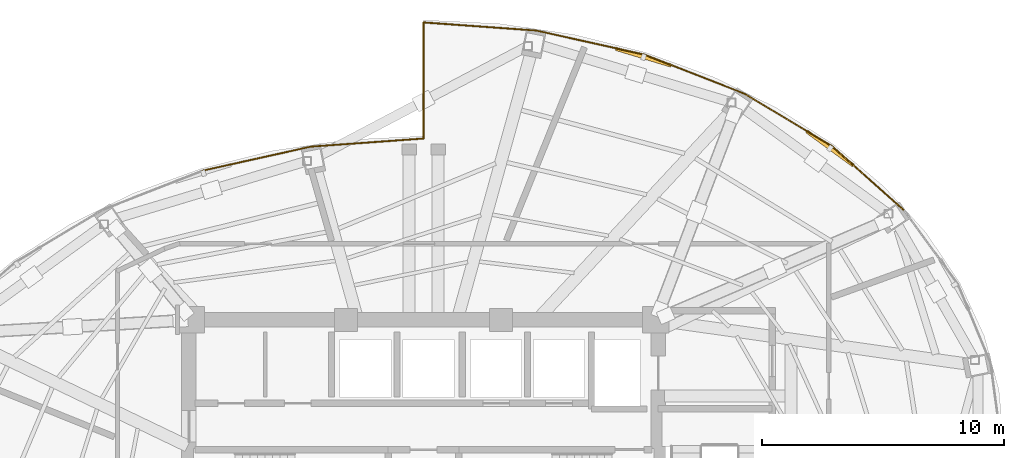
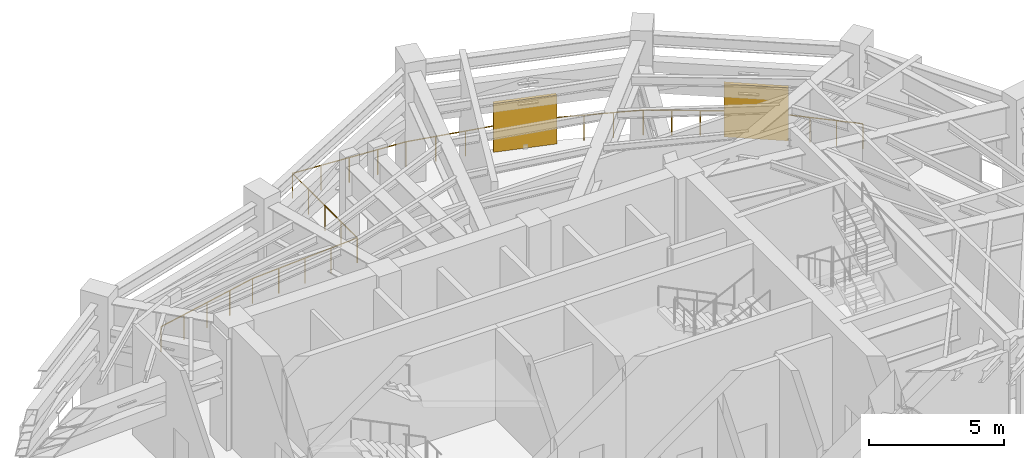
# One storey, part 12 of 12: 8 railings, 2 shading devices.
"""IFC4 building model written with IfcOpenShell, lengths in metres."""

from ifc_helpers import new_model, si_unit, direction, frame, origin, origin_2d, place, context, subcontext, project, spatial, rectangle, circle, extrude, material, type_object, element, save


model = new_model("IFC4")

# Units and contexts
model_context = context("Model", 3, precision=1e-05, world=origin(), true_north=direction((0.0, 1.0)))
body_context = subcontext(model_context, "Body", "Model", "MODEL_VIEW")
ifc_project = project(units=[si_unit("LENGTHUNIT", "METRE"), si_unit("AREAUNIT", "SQUARE_METRE"), si_unit("VOLUMEUNIT", "CUBIC_METRE"), si_unit("PLANEANGLEUNIT", "RADIAN"), si_unit("MASSUNIT", "GRAM", prefix="KILO")], contexts=[model_context])

# Site, building, storey
site_placement = place(None, origin())
site = spatial("IfcSite", under=ifc_project, at=site_placement, CompositionType="ELEMENT")
building_placement = place(site_placement, origin())
building = spatial("IfcBuilding", under=site, at=building_placement, Name="Lazwardi Medical Tower", CompositionType="ELEMENT")
storey_placement = place(building_placement, frame((0.0, 0.0, 189.360107421875)))
storey = spatial("IfcBuildingStorey", under=building, at=storey_placement, Name="L49", CompositionType="ELEMENT", Elevation=189.360107421875)

# Railings
ifc_material_1 = material(Name="Anodised bronze aluminium", Category="aluminium")
railing_type = type_object("IfcRailingType", Name="RLG-BAL-1100", PredefinedType="BALUSTRADE", material=ifc_material_1)
railing_1_placement = place(storey_placement, frame((55.8720703125, 40.12255859375, 0.0)))
element("IfcRailing", 1, at=railing_1_placement, inside=storey, type_object=railing_type, Name="L49 Refuge Band Perimeter Balustrade 12", PredefinedType="BALUSTRADE", context=body_context, shape_type="SweptSolid", body=[
    extrude(circle(Radius=0.02392578125, at=origin_2d()), frame((0.0, 0.0, 1.1259765625), z_axis=(-0.746170343463, 0.665755073985, 0.0), x_axis=(-0.665755073985, -0.746170343463, 0.0)), (0.0, 0.0, 1.0), 3.983154296875),
    extrude(circle(Radius=0.02099609375, at=origin_2d()), origin(), (0.0, 0.0, 1.0), 1.099853515625),
    extrude(circle(Radius=0.02099609375, at=origin_2d()), frame((-0.7431640625, 0.6630859375, 0.0)), (0.0, 0.0, 1.0), 1.099853515625),
    extrude(circle(Radius=0.02099609375, at=origin_2d()), frame((-1.486083984375, 1.325927734375, 0.0)), (0.0, 0.0, 1.0), 1.099853515625),
    extrude(circle(Radius=0.02099609375, at=origin_2d()), frame((-2.22900390625, 1.98876953125, 0.0)), (0.0, 0.0, 1.0), 1.099853515625),
    extrude(circle(Radius=0.02099609375, at=origin_2d()), frame((-2.97216796875, 2.65185546875, 0.0)), (0.0, 0.0, 1.0), 1.099853515625),
])
railing_2_placement = place(storey_placement, frame((52.89990234375, 42.7744140625, 0.0)))
element("IfcRailing", 2, at=railing_2_placement, inside=storey, type_object=railing_type, Name="L49 Refuge Band Perimeter Balustrade 13", PredefinedType="BALUSTRADE", context=body_context, shape_type="SweptSolid", body=[
    extrude(circle(Radius=0.02392578125, at=origin_2d()), frame((0.0, 0.0, 1.1259765625), z_axis=(-0.857161364458, 0.51504795435, 0.0), x_axis=(-0.51504795435, -0.857161364458, 0.0)), (0.0, 0.0, 1.0), 4.225341796875),
    extrude(circle(Radius=0.02099609375, at=origin_2d()), origin(), (0.0, 0.0, 1.0), 1.099853515625),
    extrude(circle(Radius=0.02099609375, at=origin_2d()), frame((-0.905517578125, 0.5439453125, 0.0)), (0.0, 0.0, 1.0), 1.099853515625),
    extrude(circle(Radius=0.02099609375, at=origin_2d()), frame((-1.81103515625, 1.088134765625, 0.0)), (0.0, 0.0, 1.0), 1.099853515625),
    extrude(circle(Radius=0.02099609375, at=origin_2d()), frame((-2.71630859375, 1.63232421875, 0.0)), (0.0, 0.0, 1.0), 1.099853515625),
    extrude(circle(Radius=0.02099609375, at=origin_2d()), frame((-3.621826171875, 2.17626953125, 0.0)), (0.0, 0.0, 1.0), 1.099853515625),
])
railing_3_placement = place(storey_placement, frame((49.278076171875, 44.95068359375, 0.0)))
element("IfcRailing", 3, at=railing_3_placement, inside=storey, type_object=railing_type, Name="L49 Refuge Band Perimeter Balustrade 14", PredefinedType="BALUSTRADE", context=body_context, shape_type="SweptSolid", body=[
    extrude(circle(Radius=0.02392578125, at=origin_2d()), frame((0.0, 0.0, 1.1259765625), z_axis=(-0.931220860045, 0.364455360528, 0.0), x_axis=(-0.364455360528, -0.931220860045, 0.0)), (0.0, 0.0, 1.0), 4.437255859375),
    extrude(circle(Radius=0.02099609375, at=origin_2d()), origin(), (0.0, 0.0, 1.0), 1.099853515625),
    extrude(circle(Radius=0.02099609375, at=origin_2d()), frame((-1.032958984375, 0.404296875, 0.0)), (0.0, 0.0, 1.0), 1.099853515625),
    extrude(circle(Radius=0.02099609375, at=origin_2d()), frame((-2.06591796875, 0.80859375, 0.0)), (0.0, 0.0, 1.0), 1.099853515625),
    extrude(circle(Radius=0.02099609375, at=origin_2d()), frame((-3.09912109375, 1.212890625, 0.0)), (0.0, 0.0, 1.0), 1.099853515625),
    extrude(circle(Radius=0.02099609375, at=origin_2d()), frame((-4.132080078125, 1.6171875, 0.0)), (0.0, 0.0, 1.0), 1.099853515625),
])
railing_4_placement = place(storey_placement, frame((45.14599609375, 46.56787109375, 0.0)))
element("IfcRailing", 4, at=railing_4_placement, inside=storey, type_object=railing_type, Name="L49 Refuge Band Perimeter Balustrade 15", PredefinedType="BALUSTRADE", context=body_context, shape_type="SweptSolid", body=[
    extrude(circle(Radius=0.02392578125, at=origin_2d()), frame((0.0, 0.0, 1.1259765625), z_axis=(-0.976208319017, 0.216834770925, 0.0), x_axis=(-0.216834770925, -0.976208319017, 0.0)), (0.0, 0.0, 1.0), 4.5927734375),
    extrude(circle(Radius=0.02099609375, at=origin_2d()), origin(), (0.0, 0.0, 1.0), 1.099853515625),
    extrude(circle(Radius=0.02099609375, at=origin_2d()), frame((-1.120849609375, 0.2490234375, 0.0)), (0.0, 0.0, 1.0), 1.099853515625),
    extrude(circle(Radius=0.02099609375, at=origin_2d()), frame((-2.24169921875, 0.498046875, 0.0)), (0.0, 0.0, 1.0), 1.099853515625),
    extrude(circle(Radius=0.02099609375, at=origin_2d()), frame((-3.362548828125, 0.746826171875, 0.0)), (0.0, 0.0, 1.0), 1.099853515625),
    extrude(circle(Radius=0.02099609375, at=origin_2d()), frame((-4.4833984375, 0.995849609375, 0.0)), (0.0, 0.0, 1.0), 1.099853515625),
])
railing_5_placement = place(storey_placement, frame((40.66259765625, 47.563720703125, 0.0)))
element("IfcRailing", 5, at=railing_5_placement, inside=storey, type_object=railing_type, Name="L49 Refuge Band Perimeter Balustrade 16", PredefinedType="BALUSTRADE", context=body_context, shape_type="SweptSolid", body=[
    extrude(circle(Radius=0.02392578125, at=origin_2d()), frame((0.0, 0.0, 1.1259765625), z_axis=(-0.997410756984, 0.071915101705, 0.0), x_axis=(-0.071915101705, -0.997410756984, 0.0)), (0.0, 0.0, 1.0), 4.6748046875),
    extrude(circle(Radius=0.02099609375, at=origin_2d()), origin(), (0.0, 0.0, 1.0), 1.099853515625),
    extrude(circle(Radius=0.02099609375, at=origin_2d()), frame((-1.16552734375, 0.083984375, 0.0)), (0.0, 0.0, 1.0), 1.099853515625),
    extrude(circle(Radius=0.02099609375, at=origin_2d()), frame((-2.331298828125, 0.16796875, 0.0)), (0.0, 0.0, 1.0), 1.099853515625),
    extrude(circle(Radius=0.02099609375, at=origin_2d()), frame((-3.4970703125, 0.252197265625, 0.0)), (0.0, 0.0, 1.0), 1.099853515625),
    extrude(circle(Radius=0.02099609375, at=origin_2d()), frame((-4.66259765625, 0.336181640625, 0.0)), (0.0, 0.0, 1.0), 1.099853515625),
])
railing_6_placement = place(storey_placement, frame((36.0, 47.89990234375, 0.0)))
element("IfcRailing", 6, at=railing_6_placement, inside=storey, type_object=railing_type, Name="L49 Refuge Band Perimeter Balustrade 17", PredefinedType="BALUSTRADE", context=body_context, shape_type="SweptSolid", body=[
    extrude(circle(Radius=0.02392578125, at=origin_2d()), frame((0.0, 0.0, 1.1259765625), z_axis=(0.0, -1.0, 0.0), x_axis=(1.0, 0.0, 0.0)), (0.0, 0.0, 1.0), 4.7998046875),
    extrude(circle(Radius=0.02099609375, at=origin_2d()), origin(), (0.0, 0.0, 1.0), 1.099853515625),
    extrude(circle(Radius=0.02099609375, at=origin_2d()), frame((0.0, -1.199951171875, 0.0)), (0.0, 0.0, 1.0), 1.099853515625),
    extrude(circle(Radius=0.02099609375, at=origin_2d()), frame((0.0, -2.39990234375, 0.0)), (0.0, 0.0, 1.0), 1.099853515625),
    extrude(circle(Radius=0.02099609375, at=origin_2d()), frame((0.0, -3.599853515625, 0.0)), (0.0, 0.0, 1.0), 1.099853515625),
    extrude(circle(Radius=0.02099609375, at=origin_2d()), frame((0.0, -4.7998046875, 0.0)), (0.0, 0.0, 1.0), 1.099853515625),
])
railing_7_placement = place(storey_placement, frame((36.0, 43.10009765625, 0.0)))
element("IfcRailing", 7, at=railing_7_placement, inside=storey, type_object=railing_type, Name="L49 Refuge Band Perimeter Balustrade 18", PredefinedType="BALUSTRADE", context=body_context, shape_type="SweptSolid", body=[
    extrude(circle(Radius=0.02392578125, at=origin_2d()), frame((0.0, 0.0, 1.1259765625), z_axis=(-0.997407009536, -0.071967057239, 0.0), x_axis=(0.071967057239, -0.997407009536, 0.0)), (0.0, 0.0, 1.0), 4.6748046875),
    extrude(circle(Radius=0.02099609375, at=origin_2d()), origin(), (0.0, 0.0, 1.0), 1.099853515625),
    extrude(circle(Radius=0.02099609375, at=origin_2d()), frame((-1.16552734375, -0.083984375, 0.0)), (0.0, 0.0, 1.0), 1.099853515625),
    extrude(circle(Radius=0.02099609375, at=origin_2d()), frame((-2.331298828125, -0.168212890625, 0.0)), (0.0, 0.0, 1.0), 1.099853515625),
    extrude(circle(Radius=0.02099609375, at=origin_2d()), frame((-3.4970703125, -0.25244140625, 0.0)), (0.0, 0.0, 1.0), 1.099853515625),
    extrude(circle(Radius=0.02099609375, at=origin_2d()), frame((-4.66259765625, -0.33642578125, 0.0)), (0.0, 0.0, 1.0), 1.099853515625),
])
railing_8_placement = place(storey_placement, frame((31.33740234375, 42.763671875, 0.0)))
element("IfcRailing", 8, at=railing_8_placement, inside=storey, type_object=railing_type, Name="L49 Refuge Band Perimeter Balustrade 19", PredefinedType="BALUSTRADE", context=body_context, shape_type="SweptSolid", body=[
    extrude(circle(Radius=0.02392578125, at=origin_2d()), frame((0.0, 0.0, 1.1259765625), z_axis=(-0.976208319017, -0.216834770925, 0.0), x_axis=(0.216834770925, -0.976208319017, 0.0)), (0.0, 0.0, 1.0), 4.5927734375),
    extrude(circle(Radius=0.02099609375, at=origin_2d()), origin(), (0.0, 0.0, 1.0), 1.099853515625),
    extrude(circle(Radius=0.02099609375, at=origin_2d()), frame((-1.120849609375, -0.2490234375, 0.0)), (0.0, 0.0, 1.0), 1.099853515625),
    extrude(circle(Radius=0.02099609375, at=origin_2d()), frame((-2.24169921875, -0.498046875, 0.0)), (0.0, 0.0, 1.0), 1.099853515625),
    extrude(circle(Radius=0.02099609375, at=origin_2d()), frame((-3.362548828125, -0.746826171875, 0.0)), (0.0, 0.0, 1.0), 1.099853515625),
    extrude(circle(Radius=0.02099609375, at=origin_2d()), frame((-4.4833984375, -0.995849609375, 0.0)), (0.0, 0.0, 1.0), 1.099853515625),
])

# Shading devices
ifc_material_2 = material(Name="Anodised bronze aluminium storm louvre", Category="aluminium")
shading_device_type_1 = type_object("IfcShadingDeviceType", Name="SHD-LVR-01", PredefinedType="JALOUSIE", material=ifc_material_2)
shading_device_1_placement = place(storey_placement, frame((45.09521484375, 46.462890625, 0.0), z_axis=(0.0, 0.0, 1.0), x_axis=(-0.957032496358, 0.28998069059, 0.0)))
element("IfcShadingDevice", 9, at=shading_device_1_placement, inside=storey, type_object=shading_device_type_1, Name="L49 Tropical Storm Louvre 07", PredefinedType="JALOUSIE", context=body_context, shape_type="SweptSolid", body=[
    extrude(rectangle(XDim=2.39990234375, YDim=0.139892578125, at=origin_2d()), origin(), (0.0, 0.0, 1.0), 2.199951171875),
])
ifc_material_3 = material(Name="Perforated bronze girih solar screen", Category="aluminium")
shading_device_type_2 = type_object("IfcShadingDeviceType", Name="SHD-SCR-01", PredefinedType="USERDEFINED", material=ifc_material_3)
shading_device_2_placement = place(storey_placement, frame((52.805419921875, 42.694091796875, 0.0), z_axis=(0.0, 0.0, 1.0), x_axis=(-0.807100478393, 0.590414107028, 0.0)))
element("IfcShadingDevice", 10, at=shading_device_2_placement, inside=storey, type_object=shading_device_type_2, Name="L49 Bronze Girih Solar Screen 06", ObjectType="SCREEN", PredefinedType="USERDEFINED", context=body_context, shape_type="SweptSolid", body=[
    extrude(rectangle(XDim=2.39990234375, YDim=0.139892578125, at=origin_2d()), origin(), (0.0, 0.0, 1.0), 2.39990234375),
])

save(model, "model.ifc")
